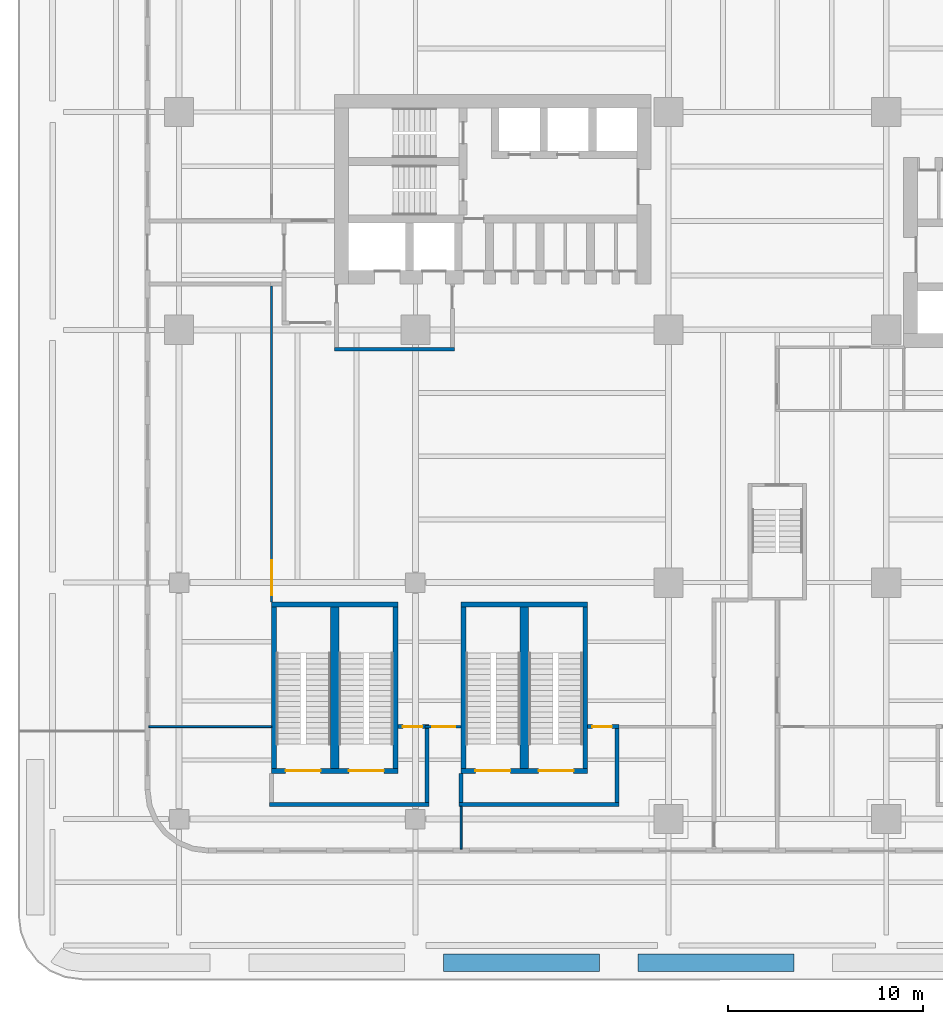
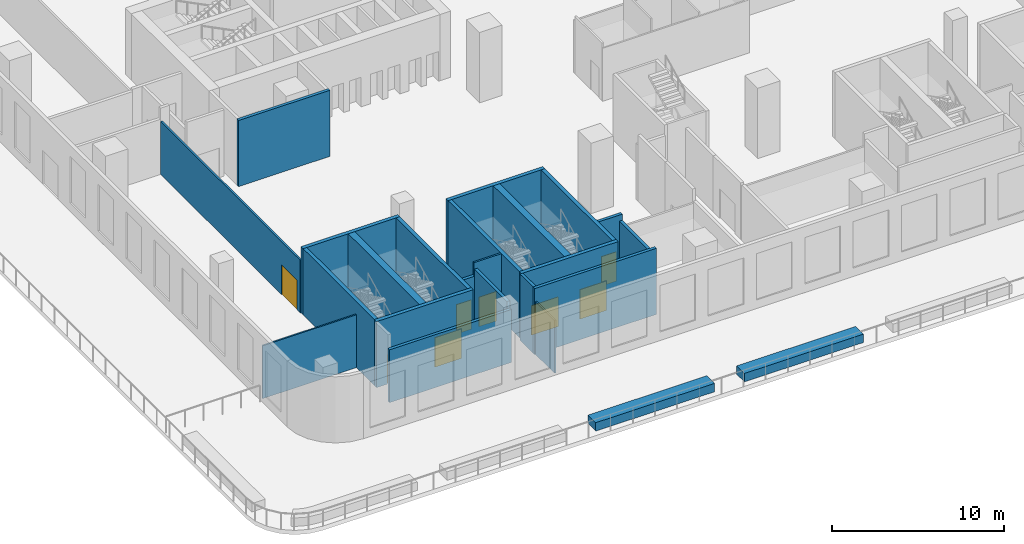
# One storey, part 5 of 17: 24 walls, 8 doors, 8 openings.
"""IFC4 building model written with IfcOpenShell, lengths in metres."""

from ifc_helpers import new_model, si_unit, direction, frame, frame_2d, origin, place, context, subcontext, project, spatial, polyline, rectangle, outline, extrude, source, transform, mapped, material, layer, layer_set, type_object, element, fill, save


model = new_model("IFC4")

# Units and contexts
model_context = context("Model", 3, precision=1e-05, world=origin(), true_north=direction((0.0, 1.0)))
body_context = subcontext(model_context, "Body", "Model", "MODEL_VIEW")
ifc_project = project(units=[si_unit("LENGTHUNIT", "METRE"), si_unit("AREAUNIT", "SQUARE_METRE"), si_unit("VOLUMEUNIT", "CUBIC_METRE"), si_unit("PLANEANGLEUNIT", "RADIAN"), si_unit("MASSUNIT", "GRAM", prefix="KILO")], contexts=[model_context])

# Site, building, storey
site_placement = place(None, origin())
site = spatial("IfcSite", under=ifc_project, at=site_placement, CompositionType="ELEMENT")
building_placement = place(site_placement, origin())
building = spatial("IfcBuilding", under=site, at=building_placement, Name="Trellis Farm Tower", CompositionType="ELEMENT")
storey_placement = place(building_placement, frame((0.0, 0.0, 24.0)))
storey = spatial("IfcBuildingStorey", under=building, at=storey_placement, Name="L04", CompositionType="ELEMENT", Elevation=24.0)

# Walls
ifc_material_1 = material(Name="Sandstone faced masonry planter", Category="masonry")
ifc_layer_1 = layer(ifc_material_1, 0.89990234375)
ifc_layer_set_1 = layer_set([ifc_layer_1], Name="TERRACE PLANTER BED 900")
wall_type_1 = type_object("IfcWallType", Name="TERRACE PLANTER BED 900", PredefinedType="USERDEFINED", material=ifc_layer_set_1)
placement = place(storey_placement, origin())
element("IfcWall", 1, at=placement, inside=storey, type_object=wall_type_1, Name="PLANTER bed", ObjectType="PLANTER", PredefinedType="USERDEFINED", context=body_context, shape_type="SweptSolid", body=[
    extrude(outline(polyline([(-17.152587890625, -37.699951171875), (-9.152587890625, -37.699951171875), (-9.152587890625, -38.60009765625), (-17.152587890625, -38.60009765625), (-17.152587890625, -37.699951171875)])), origin(), (0.0, 0.0, 1.0), 0.60009765625),
])
element("IfcWall", 2, at=placement, inside=storey, type_object=wall_type_1, Name="PLANTER bed", ObjectType="PLANTER", PredefinedType="USERDEFINED", context=body_context, shape_type="SweptSolid", body=[
    extrude(outline(polyline([(-7.152587890625, -37.699951171875), (0.847412109375, -37.699951171875), (0.847412109375, -38.60009765625), (-7.152587890625, -38.60009765625), (-7.152587890625, -37.699951171875)])), origin(), (0.0, 0.0, 1.0), 0.60009765625),
])
ifc_material_2 = material(Name="Masonry blockwork", Category="masonry")
ifc_layer_2 = layer(ifc_material_2, 0.199951171875)
ifc_layer_set_2 = layer_set([ifc_layer_2], Name="FIRE LOBBY PARTITION 200 BLOCKWORK")
wall_type_2 = type_object("IfcWallType", Name="FIRE LOBBY PARTITION 200 BLOCKWORK", PredefinedType="PARTITIONING", material=ifc_layer_set_2)
shared_shape_1 = source(origin(), body_context, "Body", "SweptSolid", [
    extrude(rectangle(XDim=6.14990234375, YDim=0.199951171875, at=frame_2d((3.074951171875, 0.0))), origin(), (0.0, 0.0, 1.0), 4.699951171875),
])
wall_3_placement = place(storey_placement, frame((-16.60009765625, -6.60009765625, 0.0), z_axis=(0.0, 0.0, 1.0), x_axis=(-1.0, 0.0, 0.0)))
element("IfcWall", 3, at=wall_3_placement, inside=storey, type_object=wall_type_2, Name="Fire-fighting lobby partition", PredefinedType="PARTITIONING", context=body_context, shape_type="MappedRepresentation", body=[
    mapped(shared_shape_1, transform((0.0, 0.0, 0.0))),
])

# Wall, openings, doors
ifc_material_3 = material(Name="Concrete C80/95", Category="concrete")
ifc_layer_3 = layer(ifc_material_3, 0.25)
ifc_layer_set_3 = layer_set([ifc_layer_3], Name="CORE STAIR ENCLOSURE WALL 250 CONCRETE C80/95")
wall_type_3 = type_object("IfcWallType", Name="CORE STAIR ENCLOSURE WALL 250 CONCRETE C80/95", PredefinedType="SHEAR", material=ifc_layer_set_3)
shared_shape_2 = source(origin(), body_context, "Body", "SweptSolid", [
    extrude(rectangle(XDim=6.5, YDim=0.25, at=frame_2d((3.25, 0.0))), origin(), (0.0, 0.0, 1.0), 4.699951171875),
])
wall_4_placement = place(storey_placement, frame((-26.0, -28.27490234375, 0.0), z_axis=(0.0, 0.0, 1.0), x_axis=(1.0, 0.0, 0.0)))
wall_4 = element("IfcWall", 4, at=wall_4_placement, inside=storey, type_object=wall_type_3, Name="Podium stair enclosure wall", PredefinedType="SHEAR", context=body_context, shape_type="MappedRepresentation", body=[
    mapped(shared_shape_2, transform((0.0, 0.0, 0.0))),
])
shared_shape_3 = source(origin(), body_context, "Body", "SweptSolid", [
    extrude(rectangle(XDim=1.800048828125, YDim=2.10009765625, at=frame_2d((0.89990234375, 1.050048828125))), frame((0.0, 0.135009765625, 0.0), z_axis=(0.0, -1.0, 0.0), x_axis=(1.0, 0.0, 0.0)), (0.0, 0.0, 1.0), 0.27001953125),
])
opening_1_placement = place(wall_4_placement, frame((0.72509765625, 0.0, 0.0)))
opening_1 = element("IfcOpeningElement", 5, at=opening_1_placement, cuts=wall_4, Name="Opening DP9", PredefinedType="OPENING", context=body_context, shape_type="MappedRepresentation", body=[
    mapped(shared_shape_3, transform((0.0, 0.0, 0.0))),
])
opening_2_placement = place(wall_4_placement, frame((3.97509765625, 0.0, 0.0)))
opening_2 = element("IfcOpeningElement", 6, at=opening_2_placement, cuts=wall_4, Name="Opening DP10", PredefinedType="OPENING", context=body_context, shape_type="MappedRepresentation", body=[
    mapped(shared_shape_3, transform((0.0, 0.0, 0.0))),
])
ifc_material_4 = material(Name="Steel", Category="steel")
door_type_1 = type_object("IfcDoorType", Name="CORE FIRE DOOR DOUBLE 1800 X 2100", OperationType="DOUBLE_DOOR_SINGLE_SWING", PredefinedType="DOOR", material=ifc_material_4)
shared_shape_4 = source(origin(), body_context, "Body", "SweptSolid", [
    extrude(rectangle(XDim=1.800048828125, YDim=2.10009765625, at=frame_2d((0.89990234375, 1.050048828125))), frame((0.0, 0.02490234375, 0.0), z_axis=(0.0, -1.0, 0.0), x_axis=(1.0, 0.0, 0.0)), (0.0, 0.0, 1.0), 0.050048828125),
])
door_1_placement = place(opening_1_placement, origin())
door_1 = element("IfcDoor", 7, at=door_1_placement, inside=storey, type_object=door_type_1, Name="Podium stair door", OperationType="DOUBLE_DOOR_SINGLE_SWING", OverallHeight=2.10009765625, OverallWidth=1.800048828125, PredefinedType="DOOR", context=body_context, shape_type="MappedRepresentation", body=[
    mapped(shared_shape_4, transform((0.0, 0.0, 0.0))),
])
fill(opening_1, door_1)
door_2_placement = place(opening_2_placement, origin())
door_2 = element("IfcDoor", 8, at=door_2_placement, inside=storey, type_object=door_type_1, Name="Podium stair door", OperationType="DOUBLE_DOOR_SINGLE_SWING", OverallHeight=2.10009765625, OverallWidth=1.800048828125, PredefinedType="DOOR", context=body_context, shape_type="MappedRepresentation", body=[
    mapped(shared_shape_4, transform((0.0, 0.0, 0.0))),
])
fill(opening_2, door_2)

# Wall
wall_5_placement = place(storey_placement, frame((-26.0, -19.72509765625, 0.0), z_axis=(0.0, 0.0, 1.0), x_axis=(1.0, 0.0, 0.0)))
element("IfcWall", 9, at=wall_5_placement, inside=storey, type_object=wall_type_3, Name="Podium stair enclosure wall", PredefinedType="SHEAR", context=body_context, shape_type="MappedRepresentation", body=[
    mapped(shared_shape_2, transform((0.0, 0.0, 0.0))),
])

# Wall, openings, doors
wall_6_placement = place(storey_placement, frame((-16.25, -28.27490234375, 0.0), z_axis=(0.0, 0.0, 1.0), x_axis=(1.0, 0.0, 0.0)))
wall_6 = element("IfcWall", 10, at=wall_6_placement, inside=storey, type_object=wall_type_3, Name="Podium stair enclosure wall", PredefinedType="SHEAR", context=body_context, shape_type="MappedRepresentation", body=[
    mapped(shared_shape_2, transform((0.0, 0.0, 0.0))),
])
opening_3_placement = place(wall_6_placement, frame((0.72509765625, 0.0, 0.0)))
opening_3 = element("IfcOpeningElement", 11, at=opening_3_placement, cuts=wall_6, Name="Opening DP11", PredefinedType="OPENING", context=body_context, shape_type="MappedRepresentation", body=[
    mapped(shared_shape_3, transform((0.0, 0.0, 0.0))),
])
opening_4_placement = place(wall_6_placement, frame((3.97509765625, 0.0, 0.0)))
opening_4 = element("IfcOpeningElement", 12, at=opening_4_placement, cuts=wall_6, Name="Opening DP12", PredefinedType="OPENING", context=body_context, shape_type="MappedRepresentation", body=[
    mapped(shared_shape_3, transform((0.0, 0.0, 0.0))),
])
door_3_placement = place(opening_3_placement, origin())
door_3 = element("IfcDoor", 13, at=door_3_placement, inside=storey, type_object=door_type_1, Name="Podium stair door", OperationType="DOUBLE_DOOR_SINGLE_SWING", OverallHeight=2.10009765625, OverallWidth=1.800048828125, PredefinedType="DOOR", context=body_context, shape_type="MappedRepresentation", body=[
    mapped(shared_shape_4, transform((0.0, 0.0, 0.0))),
])
fill(opening_3, door_3)
door_4_placement = place(opening_4_placement, origin())
door_4 = element("IfcDoor", 14, at=door_4_placement, inside=storey, type_object=door_type_1, Name="Podium stair door", OperationType="DOUBLE_DOOR_SINGLE_SWING", OverallHeight=2.10009765625, OverallWidth=1.800048828125, PredefinedType="DOOR", context=body_context, shape_type="MappedRepresentation", body=[
    mapped(shared_shape_4, transform((0.0, 0.0, 0.0))),
])
fill(opening_4, door_4)

# Walls
wall_7_placement = place(storey_placement, frame((-16.25, -19.72509765625, 0.0), z_axis=(0.0, 0.0, 1.0), x_axis=(1.0, 0.0, 0.0)))
element("IfcWall", 15, at=wall_7_placement, inside=storey, type_object=wall_type_3, Name="Podium stair enclosure wall", PredefinedType="SHEAR", context=body_context, shape_type="MappedRepresentation", body=[
    mapped(shared_shape_2, transform((0.0, 0.0, 0.0))),
])
shared_shape_5 = source(origin(), body_context, "Body", "SweptSolid", [
    extrude(rectangle(XDim=8.2998046875, YDim=0.25, at=frame_2d((4.14990234375, 0.0))), origin(), (0.0, 0.0, 1.0), 4.699951171875),
])
for number, where, z_axis, x_axis, name in (
    (16, (-25.875, -28.14990234375, 0.0), (0.0, 0.0, 1.0), (0.0, 1.0, 0.0), "Podium stair enclosure wall"),
    (17, (-19.625, -28.14990234375, 0.0), (0.0, 0.0, 1.0), (0.0, 1.0, 0.0), "Podium stair enclosure wall"),
    (18, (-16.125, -28.14990234375, 0.0), (0.0, 0.0, 1.0), (0.0, 1.0, 0.0), "Podium stair enclosure wall"),
    (19, (-9.875, -28.14990234375, 0.0), (0.0, 0.0, 1.0), (0.0, 1.0, 0.0), "Podium stair enclosure wall"),
):
    element("IfcWall", number, at=place(storey_placement, frame(where, z_axis=z_axis, x_axis=x_axis)), inside=storey, type_object=wall_type_3, Name=name, PredefinedType="SHEAR", context=body_context, shape_type="MappedRepresentation", body=[
        mapped(shared_shape_5, transform((0.0, 0.0, 0.0))),
    ])
ifc_layer_4 = layer(ifc_material_3, 0.43994140625)
ifc_layer_set_4 = layer_set([ifc_layer_4], Name="CORE STAIR ENCLOSURE WALL 440 CONCRETE C80/95")
wall_type_4 = type_object("IfcWallType", Name="CORE STAIR ENCLOSURE WALL 440 CONCRETE C80/95", PredefinedType="SHEAR", material=ifc_layer_set_4)
shared_shape_6 = source(origin(), body_context, "Body", "SweptSolid", [
    extrude(rectangle(XDim=8.2998046875, YDim=0.43994140625, at=frame_2d((4.14990234375, 0.0))), origin(), (0.0, 0.0, 1.0), 4.699951171875),
])
for number, where, z_axis, x_axis, name in (
    (20, (-22.75, -28.14990234375, 0.0), (0.0, 0.0, 1.0), (0.0, 1.0, 0.0), "Podium stair enclosure wall"),
    (21, (-13.0, -28.14990234375, 0.0), (0.0, 0.0, 1.0), (0.0, 1.0, 0.0), "Podium stair enclosure wall"),
):
    element("IfcWall", number, at=place(storey_placement, frame(where, z_axis=z_axis, x_axis=x_axis)), inside=storey, type_object=wall_type_4, Name=name, PredefinedType="SHEAR", context=body_context, shape_type="MappedRepresentation", body=[
        mapped(shared_shape_6, transform((0.0, 0.0, 0.0))),
    ])
ifc_material_5 = material(Name="Lightweight blockwork, plastered", Category="masonry")
ifc_layer_5 = layer(ifc_material_5, 0.199951171875)
ifc_layer_set_5 = layer_set([ifc_layer_5], Name="BLOCK WALL 200 EI 120")
wall_type_5 = type_object("IfcWallType", Name="BLOCK WALL 200 EI 120", PredefinedType="PARTITIONING", material=ifc_layer_set_5)
shared_shape_7 = source(origin(), body_context, "Body", "SweptSolid", [
    extrude(rectangle(XDim=8.2001953125, YDim=0.199951171875, at=frame_2d((4.10009765625, 0.0))), origin(), (0.0, 0.0, 1.0), 4.699951171875),
])
wall_8_placement = place(storey_placement, frame((-16.35009765625, -30.0, 0.0), z_axis=(0.0, 0.0, 1.0), x_axis=(1.0, 0.0, 0.0)))
element("IfcWall", 22, at=wall_8_placement, inside=storey, type_object=wall_type_5, Name="Partition PW3", PredefinedType="PARTITIONING", context=body_context, shape_type="MappedRepresentation", body=[
    mapped(shared_shape_7, transform((0.0, 0.0, 0.0))),
])
shared_shape_8 = source(origin(), body_context, "Body", "SweptSolid", [
    extrude(rectangle(XDim=8.2001953125, YDim=0.199951171875, at=frame_2d((4.10009765625, 0.0))), origin(), (0.0, 0.0, 1.0), 3.76171875),
])
wall_9_placement = place(storey_placement, frame((-26.10009765625, -30.0, 0.0), z_axis=(0.0, 0.0, 1.0), x_axis=(1.0, 0.0, 0.0)))
element("IfcWall", 23, at=wall_9_placement, inside=storey, type_object=wall_type_5, Name="Partition PW3", PredefinedType="PARTITIONING", context=body_context, shape_type="MappedRepresentation", body=[
    mapped(shared_shape_8, transform((0.0, 0.0, 0.0))),
])

# Wall, opening, door
shared_shape_9 = source(origin(), body_context, "Body", "SweptSolid", [
    extrude(rectangle(XDim=1.60009765625, YDim=0.199951171875, at=frame_2d((0.800048828125, 0.0))), origin(), (0.0, 0.0, 1.0), 4.699951171875),
])
wall_10_placement = place(storey_placement, frame((-9.75, -26.0, 0.0), z_axis=(0.0, 0.0, 1.0), x_axis=(1.0, 0.0, 0.0)))
wall_10 = element("IfcWall", 24, at=wall_10_placement, inside=storey, type_object=wall_type_5, Name="Partition PW3", PredefinedType="PARTITIONING", context=body_context, shape_type="MappedRepresentation", body=[
    mapped(shared_shape_9, transform((0.0, 0.0, 0.0))),
])
shared_shape_10 = source(origin(), body_context, "Body", "SweptSolid", [
    extrude(rectangle(XDim=1.0, YDim=2.10009765625, at=frame_2d((0.5, 1.050048828125))), frame((0.0, 0.110107421875, 0.0), z_axis=(0.0, -1.0, 0.0), x_axis=(1.0, 0.0, 0.0)), (0.0, 0.0, 1.0), 0.22021484375),
])
opening_5_placement = place(wall_10_placement, frame((0.25, 0.0, 0.0)))
opening_5 = element("IfcOpeningElement", 25, at=opening_5_placement, cuts=wall_10, Name="Opening D302", PredefinedType="OPENING", context=body_context, shape_type="MappedRepresentation", body=[
    mapped(shared_shape_10, transform((0.0, 0.0, 0.0))),
])
ifc_material_6 = material(Name="Fire-rated timber door leaf in a hollow metal frame", Category="wood")
door_type_2 = type_object("IfcDoorType", Name="DOOR 1000x2100 FD60", OperationType="NOTDEFINED", PredefinedType="DOOR", material=ifc_material_6)
shared_shape_11 = source(origin(), body_context, "Body", "SweptSolid", [
    extrude(rectangle(XDim=1.0, YDim=2.10009765625, at=frame_2d((0.5, 1.050048828125))), frame((0.0, 0.02490234375, 0.0), z_axis=(0.0, -1.0, 0.0), x_axis=(1.0, 0.0, 0.0)), (0.0, 0.0, 1.0), 0.050048828125),
])
door_5_placement = place(opening_5_placement, origin())
door_5 = element("IfcDoor", 26, at=door_5_placement, inside=storey, type_object=door_type_2, Name="Door D302", OperationType="SINGLE_SWING_LEFT", OverallHeight=2.10009765625, OverallWidth=1.0, PredefinedType="DOOR", context=body_context, shape_type="MappedRepresentation", body=[
    mapped(shared_shape_11, transform((0.0, 0.0, 0.0))),
])
fill(opening_5, door_5)

shared_shape_12 = source(origin(), body_context, "Body", "SweptSolid", [
    extrude(rectangle(XDim=1.60009765625, YDim=0.199951171875, at=frame_2d((0.800048828125, 0.0))), origin(), (0.0, 0.0, 1.0), 3.76171875),
])
wall_11_placement = place(storey_placement, frame((-19.5, -26.0, 0.0), z_axis=(0.0, 0.0, 1.0), x_axis=(1.0, 0.0, 0.0)))
wall_11 = element("IfcWall", 27, at=wall_11_placement, inside=storey, type_object=wall_type_5, Name="Partition PW3", PredefinedType="PARTITIONING", context=body_context, shape_type="MappedRepresentation", body=[
    mapped(shared_shape_12, transform((0.0, 0.0, 0.0))),
])
opening_6_placement = place(wall_11_placement, frame((0.25, 0.0, 0.0)))
opening_6 = element("IfcOpeningElement", 28, at=opening_6_placement, cuts=wall_11, Name="Opening D301", PredefinedType="OPENING", context=body_context, shape_type="MappedRepresentation", body=[
    mapped(shared_shape_10, transform((0.0, 0.0, 0.0))),
])
door_6_placement = place(opening_6_placement, origin())
door_6 = element("IfcDoor", 29, at=door_6_placement, inside=storey, type_object=door_type_2, Name="Door D301", OperationType="SINGLE_SWING_LEFT", OverallHeight=2.10009765625, OverallWidth=1.0, PredefinedType="DOOR", context=body_context, shape_type="MappedRepresentation", body=[
    mapped(shared_shape_11, transform((0.0, 0.0, 0.0))),
])
fill(opening_6, door_6)

# Walls
shared_shape_13 = source(origin(), body_context, "Body", "SweptSolid", [
    extrude(rectangle(XDim=1.5, YDim=0.199951171875, at=frame_2d((0.75, 0.0))), origin(), (0.0, 0.0, 1.0), 4.699951171875),
])
wall_12_placement = place(storey_placement, frame((-16.25, -29.89990234375, 0.0), z_axis=(0.0, 0.0, 1.0), x_axis=(0.0, 1.0, 0.0)))
element("IfcWall", 30, at=wall_12_placement, inside=storey, type_object=wall_type_5, Name="Partition PW3", PredefinedType="PARTITIONING", context=body_context, shape_type="MappedRepresentation", body=[
    mapped(shared_shape_13, transform((0.0, 0.0, 0.0))),
])
shared_shape_14 = source(origin(), body_context, "Body", "SweptSolid", [
    extrude(rectangle(XDim=3.7998046875, YDim=0.199951171875, at=frame_2d((1.89990234375, 0.0))), origin(), (0.0, 0.0, 1.0), 4.273681640625),
])
for number, where, z_axis, x_axis, name in (
    (31, (-18.0, -29.89990234375, 0.0), (0.0, 0.0, 1.0), (0.0, 1.0, 0.0), "Partition PW3"),
    (32, (-8.25, -26.10009765625, 0.0), (0.0, 0.0, 1.0), (0.0, -1.0, 0.0), "Partition PW3"),
):
    element("IfcWall", number, at=place(storey_placement, frame(where, z_axis=z_axis, x_axis=x_axis)), inside=storey, type_object=wall_type_5, Name=name, PredefinedType="PARTITIONING", context=body_context, shape_type="MappedRepresentation", body=[
        mapped(shared_shape_14, transform((0.0, 0.0, 0.0))),
    ])
ifc_material_7 = material(Name="Plasterboard on steel studs", Category="steel")
ifc_layer_6 = layer(ifc_material_7, 0.10009765625)
ifc_layer_set_6 = layer_set([ifc_layer_6], Name="PARTITION 100 STUD EI 30")
wall_type_6 = type_object("IfcWallType", Name="PARTITION 100 STUD EI 30", PredefinedType="PARTITIONING", material=ifc_layer_set_6)
shared_shape_15 = source(origin(), body_context, "Body", "SweptSolid", [
    extrude(rectangle(XDim=2.199951171875, YDim=0.10009765625, at=frame_2d((1.10009765625, 0.0))), origin(), (0.0, 0.0, 1.0), 3.76171875),
])
wall_13_placement = place(storey_placement, frame((-16.25, -32.300048828125, 0.0), z_axis=(0.0, 0.0, 1.0), x_axis=(0.0, 1.0, 0.0)))
element("IfcWall", 33, at=wall_13_placement, inside=storey, type_object=wall_type_6, Name="Partition PW2", PredefinedType="PARTITIONING", context=body_context, shape_type="MappedRepresentation", body=[
    mapped(shared_shape_15, transform((0.0, 0.0, 0.0))),
])

# Wall, opening, door
ifc_material_8 = material(Name="Plasterboard on steel studs, mineral wool", Category="steel")
ifc_layer_7 = layer(ifc_material_8, 0.125)
ifc_layer_set_7 = layer_set([ifc_layer_7], Name="PARTITION 125 STUD EI 60")
wall_type_7 = type_object("IfcWallType", Name="PARTITION 125 STUD EI 60", PredefinedType="PARTITIONING", material=ifc_layer_set_7)
shared_shape_16 = source(origin(), body_context, "Body", "SweptSolid", [
    extrude(rectangle(XDim=16.25, YDim=0.125, at=frame_2d((8.125, 0.0))), origin(), (0.0, 0.0, 1.0), 3.76171875),
])
wall_14_placement = place(storey_placement, frame((-26.0, -19.60009765625, 0.0), z_axis=(0.0, 0.0, 1.0), x_axis=(0.0, 1.0, 0.0)))
wall_14 = element("IfcWall", 34, at=wall_14_placement, inside=storey, type_object=wall_type_7, Name="Partition PW1", PredefinedType="PARTITIONING", context=body_context, shape_type="MappedRepresentation", body=[
    mapped(shared_shape_16, transform((0.0, 0.0, 0.0))),
])
shared_shape_17 = source(origin(), body_context, "Body", "SweptSolid", [
    extrude(rectangle(XDim=1.800048828125, YDim=2.10009765625, at=frame_2d((0.89990234375, 1.050048828125))), frame((0.0, 0.072509765625, 0.0), z_axis=(0.0, -1.0, 0.0), x_axis=(1.0, 0.0, 0.0)), (0.0, 0.0, 1.0), 0.14501953125),
])
opening_7_placement = place(wall_14_placement, frame((0.35009765625, 0.0, 0.0)))
opening_7 = element("IfcOpeningElement", 35, at=opening_7_placement, cuts=wall_14, Name="Opening D201", PredefinedType="OPENING", context=body_context, shape_type="MappedRepresentation", body=[
    mapped(shared_shape_17, transform((0.0, 0.0, 0.0))),
])
door_type_3 = type_object("IfcDoorType", Name="DOOR PAIR 1800x2100 FD30S", OperationType="NOTDEFINED", PredefinedType="DOOR", material=ifc_material_6)
door_7_placement = place(opening_7_placement, origin())
door_7 = element("IfcDoor", 36, at=door_7_placement, inside=storey, type_object=door_type_3, Name="Door D201", OperationType="DOUBLE_DOOR_SINGLE_SWING", OverallHeight=2.10009765625, OverallWidth=1.800048828125, PredefinedType="DOOR", context=body_context, shape_type="MappedRepresentation", body=[
    mapped(shared_shape_4, transform((0.0, 0.0, 0.0))),
])
fill(opening_7, door_7)

# Wall
shared_shape_18 = source(origin(), body_context, "Body", "SweptSolid", [
    extrude(rectangle(XDim=6.300048828125, YDim=0.10009765625, at=frame_2d((3.14990234375, 0.0))), origin(), (0.0, 0.0, 1.0), 3.76171875),
])
wall_15_placement = place(storey_placement, frame((-32.300048828125, -26.0, 0.0), z_axis=(0.0, 0.0, 1.0), x_axis=(1.0, 0.0, 0.0)))
element("IfcWall", 37, at=wall_15_placement, inside=storey, type_object=wall_type_6, Name="Partition PW2", PredefinedType="PARTITIONING", context=body_context, shape_type="MappedRepresentation", body=[
    mapped(shared_shape_18, transform((0.0, 0.0, 0.0))),
])

# Wall, opening, door
shared_shape_19 = source(origin(), body_context, "Body", "SweptSolid", [
    extrude(rectangle(XDim=1.85009765625, YDim=0.125, at=frame_2d((0.925048828125, 0.0))), origin(), (0.0, 0.0, 1.0), 4.699951171875),
])
wall_16_placement = place(storey_placement, frame((-16.25, -26.0, 0.0), z_axis=(0.0, 0.0, 1.0), x_axis=(-1.0, 0.0, 0.0)))
wall_16 = element("IfcWall", 38, at=wall_16_placement, inside=storey, type_object=wall_type_7, Name="Partition PW1", PredefinedType="PARTITIONING", context=body_context, shape_type="MappedRepresentation", body=[
    mapped(shared_shape_19, transform((0.0, 0.0, 0.0))),
])
shared_shape_20 = source(origin(), body_context, "Body", "SweptSolid", [
    extrude(rectangle(XDim=1.199951171875, YDim=2.10009765625, at=frame_2d((0.60009765625, 1.050048828125))), frame((0.0, 0.072509765625, 0.0), z_axis=(0.0, -1.0, 0.0), x_axis=(1.0, 0.0, 0.0)), (0.0, 0.0, 1.0), 0.14501953125),
])
opening_8_placement = place(wall_16_placement, frame((0.300048828125, 0.0, 0.0)))
opening_8 = element("IfcOpeningElement", 39, at=opening_8_placement, cuts=wall_16, Name="Opening D602", PredefinedType="OPENING", context=body_context, shape_type="MappedRepresentation", body=[
    mapped(shared_shape_20, transform((0.0, 0.0, 0.0))),
])
door_type_4 = type_object("IfcDoorType", Name="DOOR 1200x2100 FD30S", OperationType="NOTDEFINED", PredefinedType="DOOR", material=ifc_material_6)
shared_shape_21 = source(origin(), body_context, "Body", "SweptSolid", [
    extrude(rectangle(XDim=1.199951171875, YDim=2.10009765625, at=frame_2d((0.60009765625, 1.050048828125))), frame((0.0, 0.02490234375, 0.0), z_axis=(0.0, -1.0, 0.0), x_axis=(1.0, 0.0, 0.0)), (0.0, 0.0, 1.0), 0.050048828125),
])
door_8_placement = place(opening_8_placement, origin())
door_8 = element("IfcDoor", 40, at=door_8_placement, inside=storey, type_object=door_type_4, Name="Door D602", OperationType="SINGLE_SWING_RIGHT", OverallHeight=2.10009765625, OverallWidth=1.199951171875, PredefinedType="DOOR", context=body_context, shape_type="MappedRepresentation", body=[
    mapped(shared_shape_21, transform((0.0, 0.0, 0.0))),
])
fill(opening_8, door_8)

save(model, "model.ifc")
